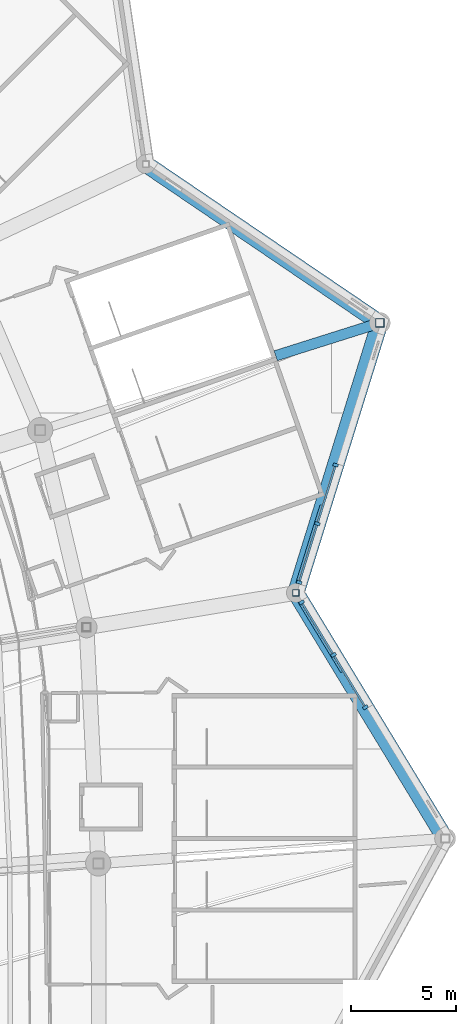
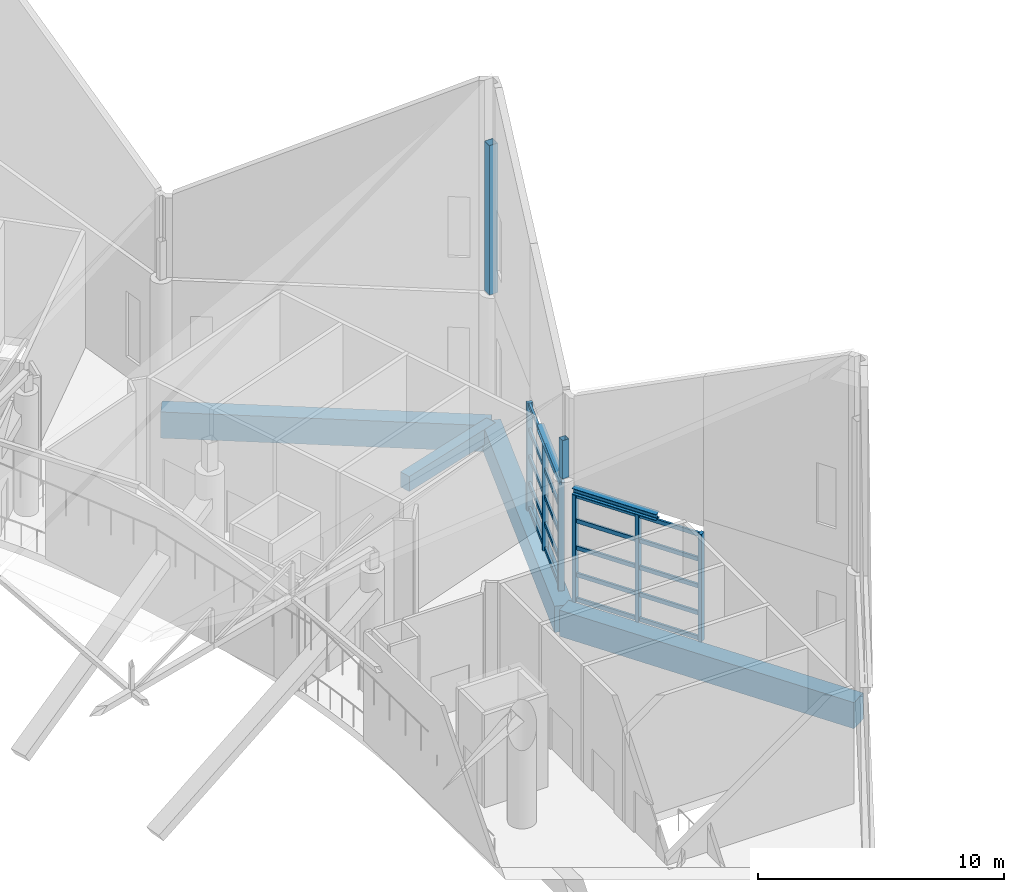
# One storey, part 199 of 344: 28 members, 6 beams, 2 elements without a shape of their own.
"""IFC4 building model written with IfcOpenShell, lengths in metres."""

import ifcopenshell
import ifcopenshell.guid

model = None  # the IFC model being written
_history = None  # IfcOwnerHistory: only IFC2X3 demands one
_inside = {}  # id of a spatial element -> (the spatial element, [elements in it])
_under = {}  # id of a project, library or spatial element -> (it, [spatial elements below it])
_declared = {}  # id of a project -> (the project, [libraries it declares])
_typed = {}  # id of a type object -> (the type object, [elements of that type])
_made_of = {}  # id of a material, layer set ... -> (it, [elements and type objects made of it])


def new_model(schema):
    """Start an empty IFC model of exactly this schema.

    Asked for "IFC4X3", IfcOpenShell would pick the latest addendum, in which some entities
    have other attributes; the version numbers below select the first issue.
    IFC2X3 requires an IfcOwnerHistory on every rooted entity: one is made here for all.
    """
    global model, _history
    if schema == "IFC4X3":
        model = ifcopenshell.file(schema_version=(4, 3, 0, 0))
    else:
        model = ifcopenshell.file(schema=schema)
    _inside.clear()
    _under.clear()
    _declared.clear()
    _typed.clear()
    _made_of.clear()
    _history = None
    if model.schema == "IFC2X3":
        org = make("IfcOrganization", Name="unknown")
        user = make(
            "IfcPersonAndOrganization",
            ThePerson=make("IfcPerson", FamilyName="unknown"),
            TheOrganization=org,
        )
        app = make(
            "IfcApplication",
            ApplicationDeveloper=org,
            Version="unknown",
            ApplicationFullName="unknown",
            ApplicationIdentifier="unknown",
        )
        _history = make(
            "IfcOwnerHistory",
            OwningUser=user,
            OwningApplication=app,
            ChangeAction="ADDED",
            CreationDate=0,
        )
    return model


def make(cls, **values):
    """One entity of the class cls with the attributes given. An attribute that is None is left unset."""
    return model.create_entity(
        cls, **{name: value for name, value in values.items() if value is not None}
    )


def rooted(cls, **values):
    """An entity with a GlobalId (a new one), such as an element, a storey or a relation."""
    return make(cls, GlobalId=ifcopenshell.guid.new(), OwnerHistory=_history, **values)


def si_unit(unit_type, name, prefix=None):
    """IfcSIUnit, for example si_unit("LENGTHUNIT", "METRE", prefix="MILLI")."""
    return make("IfcSIUnit", UnitType=unit_type, Prefix=prefix, Name=name)


def assignment(units):
    """IfcUnitAssignment: the units of a project."""
    return None if units is None else make("IfcUnitAssignment", Units=units)


def point(xyz):
    """IfcCartesianPoint."""
    return None if xyz is None else make("IfcCartesianPoint", Coordinates=xyz)


def direction(xyz):
    """IfcDirection."""
    return None if xyz is None else make("IfcDirection", DirectionRatios=xyz)


def frame(location, z_axis=None, x_axis=None):
    """IfcAxis2Placement3D, a coordinate frame: its origin and axes. An axis left out is left unset."""
    return make(
        "IfcAxis2Placement3D",
        Location=point(location),
        Axis=direction(z_axis),
        RefDirection=direction(x_axis),
    )


def frame_2d(location, x_axis=None):
    """IfcAxis2Placement2D, a coordinate frame in the plane: its origin and x axis."""
    return make(
        "IfcAxis2Placement2D", Location=point(location), RefDirection=direction(x_axis)
    )


def origin():
    """The frame at (0, 0, 0) with its axes left unset."""
    return frame((0.0, 0.0, 0.0))


def origin_2d():
    """The frame at (0, 0) in the plane with its x axis left unset."""
    return frame_2d((0.0, 0.0))


def place(relative_to, where):
    """IfcLocalPlacement: puts the frame where relative to a parent placement (None: the world)."""
    return make(
        "IfcLocalPlacement", PlacementRelTo=relative_to, RelativePlacement=where
    )


def context(
    kind, dimensions, precision=None, world=None, true_north=None, identifier=None
):
    """IfcGeometricRepresentationContext, for example the 3D "Model" context."""
    return make(
        "IfcGeometricRepresentationContext",
        ContextIdentifier=identifier,
        ContextType=kind,
        CoordinateSpaceDimension=dimensions,
        Precision=precision,
        WorldCoordinateSystem=world,
        TrueNorth=true_north,
    )


def subcontext(parent, identifier, kind, view, scale=None):
    """IfcGeometricRepresentationSubContext, for example "Body" below "Model"."""
    return make(
        "IfcGeometricRepresentationSubContext",
        ContextIdentifier=identifier,
        ContextType=kind,
        ParentContext=parent,
        TargetScale=scale,
        TargetView=view,
    )


def project(units=None, contexts=None):
    """IfcProject with its units and contexts."""
    return rooted(
        "IfcProject",
        Name="project",
        RepresentationContexts=contexts,
        UnitsInContext=assignment(units),
    )


def spatial(cls, under=None, at=None, **own):
    """A site, building, storey or space (cls), placed at a placement, below another one or the project."""
    s = rooted(cls, ObjectPlacement=at, **own)
    if under is not None:
        _under.setdefault(under.id(), (under, []))[1].append(s)
    return s


def profile(cls, at=None, kind="AREA", **sizes):
    """A parametric profile (cls). Its sizes go by their IFC names, for example OverallWidth=200.0."""
    return make(cls, ProfileType=kind, Position=at, **sizes)


def rectangle(**sizes):
    """IfcRectangleProfileDef."""
    return profile("IfcRectangleProfileDef", **sizes)


def hollow_rectangle(**sizes):
    """IfcRectangleHollowProfileDef."""
    return profile("IfcRectangleHollowProfileDef", **sizes)


def i_section(**sizes):
    """IfcIShapeProfileDef."""
    return profile("IfcIShapeProfileDef", **sizes)


def extrude(swept, where, along, depth):
    """IfcExtrudedAreaSolid: the profile swept, set in the frame where, extruded along a direction by depth."""
    return make(
        "IfcExtrudedAreaSolid",
        SweptArea=swept,
        Position=where,
        ExtrudedDirection=direction(along),
        Depth=depth,
    )


def shape(context_of_items, identifier, shape_type, items):
    """IfcShapeRepresentation: the items that make up one representation, for example the "Body"."""
    return make(
        "IfcShapeRepresentation",
        ContextOfItems=context_of_items,
        RepresentationIdentifier=identifier,
        RepresentationType=shape_type,
        Items=items,
    )


def material(Name=None, Category=None):
    """IfcMaterial."""
    return make("IfcMaterial", Name=Name, Category=Category)


def layer(
    of_material, thickness, ventilated=None, Name=None, Category=None, Priority=None
):
    """IfcMaterialLayer: one layer of a wall or slab, of a material (None: an air gap)."""
    return make(
        "IfcMaterialLayer",
        Material=of_material,
        LayerThickness=thickness,
        IsVentilated=ventilated,
        Name=Name,
        Category=Category,
        Priority=Priority,
    )


def layer_set(layers, Name=None):
    """IfcMaterialLayerSet."""
    return make("IfcMaterialLayerSet", MaterialLayers=layers, LayerSetName=Name)


def material_profile(
    of_material, cross_section, Name=None, Category=None, Priority=None
):
    """IfcMaterialProfile: a cross section and its material."""
    return make(
        "IfcMaterialProfile",
        Name=Name,
        Material=of_material,
        Profile=cross_section,
        Priority=Priority,
        Category=Category,
    )


def profile_set(profiles, Name=None, composite=None):
    """IfcMaterialProfileSet."""
    return make(
        "IfcMaterialProfileSet",
        Name=Name,
        MaterialProfiles=profiles,
        CompositeProfile=composite,
    )


def made_of(thing, what):
    """Note that an element or type object is made of a material, layer set ...; save() writes the relation."""
    if what is not None:
        _made_of.setdefault(what.id(), (what, []))[1].append(thing)
    return thing


def type_object(cls, material=None, **own):
    """A type object (cls), such as IfcWallType, which elements share."""
    return made_of(rooted(cls, **own), material)


def element(
    cls,
    number,
    at=None,
    inside=None,
    cuts=None,
    type_object=None,
    material=None,
    context=None,
    identifier="Body",
    shape_type=None,
    held_by="IfcProductDefinitionShape",
    body=None,
    shapes=None,
    **own,
):
    """One element of the class cls, such as IfcWall. Its Tag is "e" and its number.

    at: its placement. inside: the storey or other place that contains it. cuts: it is an
    opening in that element (IfcRelVoidsElement). A single representation is given by context,
    identifier, shape_type and body (its items); several are given by shapes. held_by: the class
    of the entity that holds the representations. save() writes the other relations.
    """
    e = rooted(cls, Tag="e%d" % number, ObjectPlacement=at, **own)
    if body is not None:
        shapes = [shape(context, identifier, shape_type, body)]
    if shapes is not None:
        e.Representation = make(held_by, Representations=shapes)
    if inside is not None:
        _inside.setdefault(inside.id(), (inside, []))[1].append(e)
    if cuts is not None:
        rooted(
            "IfcRelVoidsElement", RelatingBuildingElement=cuts, RelatedOpeningElement=e
        )
    if type_object is not None:
        _typed.setdefault(type_object.id(), (type_object, []))[1].append(e)
    return made_of(e, material)


def aggregate(whole, parts):
    """IfcRelAggregates: a whole, such as a stair, and the parts it consists of."""
    return rooted("IfcRelAggregates", RelatingObject=whole, RelatedObjects=parts)


def save(model, path):
    """Write the relations noted so far, then the file.

    IfcRelAggregates (storeys below a building ...), IfcRelContainedInSpatialStructure (elements
    in a storey), IfcRelDefinesByType, IfcRelAssociatesMaterial and IfcRelDeclares: one each for
    every whole, place, type object, material and project.
    """
    for whole, parts in _under.values():
        aggregate(whole, parts)
    for where, things in _inside.values():
        rooted(
            "IfcRelContainedInSpatialStructure",
            RelatedElements=things,
            RelatingStructure=where,
        )
    for kind, things in _typed.values():
        rooted("IfcRelDefinesByType", RelatedObjects=things, RelatingType=kind)
    for what, things in _made_of.values():
        rooted("IfcRelAssociatesMaterial", RelatedObjects=things, RelatingMaterial=what)
    for by, libraries in _declared.values():
        rooted("IfcRelDeclares", RelatingContext=by, RelatedDefinitions=libraries)
    model.write(path)


model = new_model("IFC4")

# Units and contexts
model_context = context("Model", 3, precision=1e-05, world=origin(), true_north=direction((0.0, 1.0)))
body_context = subcontext(model_context, "Body", "Model", "MODEL_VIEW")
ifc_project = project(units=[si_unit("LENGTHUNIT", "METRE"), si_unit("AREAUNIT", "SQUARE_METRE"), si_unit("VOLUMEUNIT", "CUBIC_METRE"), si_unit("PLANEANGLEUNIT", "RADIAN"), si_unit("MASSUNIT", "GRAM", prefix="KILO")], contexts=[model_context])

# Site, building, storey
site_placement = place(None, origin())
site = spatial("IfcSite", under=ifc_project, at=site_placement, CompositionType="ELEMENT")
building_placement = place(site_placement, origin())
building = spatial("IfcBuilding", under=site, at=building_placement, Name="Meseta Stadium", CompositionType="ELEMENT")
storey_placement = place(building_placement, frame((0.0, 0.0, 24.0)))
storey = spatial("IfcBuildingStorey", under=building, at=storey_placement, Name="L04", CompositionType="ELEMENT", Elevation=24.0)

# Beams
ifc_material_1 = material(Name="Steel S355", Category="steel")
ifc_material_profile_1 = material_profile(ifc_material_1, i_section(OverallWidth=0.300048828125, OverallDepth=0.300048828125, WebThickness=0.010986328125, FlangeThickness=0.01904296875, FilletRadius=0.027099609375, at=origin_2d()), Name="HEB 300")
ifc_profile_set_1 = profile_set([ifc_material_profile_1], Name="Steel S355")
beam_type_1 = type_object("IfcBeamType", Name="Atrium lintel beam HEB 300", PredefinedType="BEAM", material=ifc_profile_set_1)
beam_1_placement = place(storey_placement, frame((94.52783203125, 55.057373046875, 5.5), z_axis=(0.519384823856, -0.854540464079, 0.0), x_axis=(0.854540464079, 0.519384823856, 0.0)))
element("IfcBeam", 1, at=beam_1_placement, inside=storey, type_object=beam_type_1, Name="Atrium lintel beam F08", PredefinedType="BEAM", context=body_context, shape_type="SweptSolid", body=[
    extrude(i_section(OverallWidth=0.300048828125, OverallDepth=0.300048828125, WebThickness=0.010986328125, FlangeThickness=0.01904296875, FilletRadius=0.027099609375, at=origin_2d()), origin(), (0.0, 0.0, 1.0), 3.900146484375),
])
beam_2_placement = place(storey_placement, frame((94.427978515625, 55.87109375, 5.5), z_axis=(0.296855994895, 0.954922257723, 0.0), x_axis=(-0.954922257723, 0.296855994895, 0.0)))
element("IfcBeam", 2, at=beam_2_placement, inside=storey, type_object=beam_type_1, Name="Atrium lintel beam F09", PredefinedType="BEAM", context=body_context, shape_type="SweptSolid", body=[
    extrude(i_section(OverallWidth=0.300048828125, OverallDepth=0.300048828125, WebThickness=0.010986328125, FlangeThickness=0.01904296875, FilletRadius=0.027099609375, at=origin_2d()), origin(), (0.0, 0.0, 1.0), 3.89990234375),
])

# Curtain wall, members
ifc_material_2 = material(Name="Steel S355", Category="steel")
ifc_layer = layer(ifc_material_2, 0.300048828125)
ifc_layer_set = layer_set([ifc_layer], Name="Valley atrium curtain wall")
curtain_wall_type = type_object("IfcCurtainWallType", Name="Valley atrium curtain wall", PredefinedType="NOTDEFINED", material=ifc_layer_set)
curtain_wall_1_placement = place(storey_placement, origin())
curtain_wall_1 = element("IfcCurtainWall", 3, at=curtain_wall_1_placement, inside=storey, type_object=curtain_wall_type, Name="Valley atrium glazing F08", PredefinedType="NOTDEFINED")
ifc_material_3 = material(Name="Steel S355", Category="steel")
ifc_material_profile_2 = material_profile(ifc_material_3, rectangle(XDim=0.25, YDim=0.14990234375, at=origin_2d()), Name="CW 250x150")
ifc_profile_set_2 = profile_set([ifc_material_profile_2], Name="Steel S355")
member_type_1 = type_object("IfcMemberType", Name="CW mullion bar 250x150", PredefinedType="MULLION", material=ifc_profile_set_2)
member_1_placement = place(storey_placement, frame((97.60498046875, 49.994140625, 0.0), z_axis=(0.0, 0.0, 1.0), x_axis=(-0.854554231147, -0.519362172313, 0.0)))
member_1 = element("IfcMember", 4, at=member_1_placement, type_object=member_type_1, Name="CWA mullion 1", PredefinedType="MULLION", context=body_context, shape_type="SweptSolid", body=[
    extrude(rectangle(XDim=0.25, YDim=0.14990234375, at=origin_2d()), origin(), (0.0, 0.0, 1.0), 5.35009765625),
])
member_2_placement = place(storey_placement, frame((96.0859375, 52.49365234375, 0.0), z_axis=(0.0, 0.0, 1.0), x_axis=(-0.854554231147, -0.519362172313, 0.0)))
member_2 = element("IfcMember", 5, at=member_2_placement, type_object=member_type_1, Name="CWA mullion 2", PredefinedType="MULLION", context=body_context, shape_type="SweptSolid", body=[
    extrude(rectangle(XDim=0.25, YDim=0.14990234375, at=origin_2d()), origin(), (0.0, 0.0, 1.0), 5.35009765625),
])
member_3_placement = place(storey_placement, frame((94.56689453125, 54.993408203125, 0.0), z_axis=(0.0, 0.0, 1.0), x_axis=(-0.854554231147, -0.519362172313, 0.0)))
member_3 = element("IfcMember", 6, at=member_3_placement, type_object=member_type_1, Name="CWA mullion 3", PredefinedType="MULLION", context=body_context, shape_type="SweptSolid", body=[
    extrude(rectangle(XDim=0.25, YDim=0.14990234375, at=origin_2d()), origin(), (0.0, 0.0, 1.0), 5.35009765625),
])

curtain_wall_2_placement = place(storey_placement, origin())
curtain_wall_2 = element("IfcCurtainWall", 7, at=curtain_wall_2_placement, inside=storey, type_object=curtain_wall_type, Name="Valley atrium glazing F09", PredefinedType="NOTDEFINED")
member_4_placement = place(storey_placement, frame((94.4501953125, 55.942626953125, 0.0), z_axis=(0.0, 0.0, 1.0), x_axis=(-0.95491821847, 0.296868987995, 0.0)))
member_4 = element("IfcMember", 8, at=member_4_placement, type_object=member_type_1, Name="CWA mullion 1", PredefinedType="MULLION", context=body_context, shape_type="SweptSolid", body=[
    extrude(rectangle(XDim=0.25, YDim=0.14990234375, at=origin_2d()), origin(), (0.0, 0.0, 1.0), 5.35009765625),
])
member_5_placement = place(storey_placement, frame((95.318603515625, 58.73583984375, 0.0), z_axis=(0.0, 0.0, 1.0), x_axis=(-0.95491821847, 0.296868987995, 0.0)))
member_5 = element("IfcMember", 9, at=member_5_placement, type_object=member_type_1, Name="CWA mullion 2", PredefinedType="MULLION", context=body_context, shape_type="SweptSolid", body=[
    extrude(rectangle(XDim=0.25, YDim=0.14990234375, at=origin_2d()), origin(), (0.0, 0.0, 1.0), 5.35009765625),
])
member_6_placement = place(storey_placement, frame((96.18701171875, 61.529052734375, 0.0), z_axis=(0.0, 0.0, 1.0), x_axis=(-0.95491821847, 0.296868987995, 0.0)))
member_6 = element("IfcMember", 10, at=member_6_placement, type_object=member_type_1, Name="CWA mullion 3", PredefinedType="MULLION", context=body_context, shape_type="SweptSolid", body=[
    extrude(rectangle(XDim=0.25, YDim=0.14990234375, at=origin_2d()), origin(), (0.0, 0.0, 1.0), 5.35009765625),
])

# Member
ifc_material_4 = material(Name="Steel S355", Category="steel")
ifc_material_profile_3 = material_profile(ifc_material_4, hollow_rectangle(XDim=0.10009765625, YDim=0.199951171875, WallThickness=0.008056640625, at=origin_2d()), Name="RHS 200x100x8")
ifc_profile_set_3 = profile_set([ifc_material_profile_3], Name="Steel S355")
member_type_2 = type_object("IfcMemberType", Name="CW transom RHS 200x100x8", PredefinedType="USERDEFINED", material=ifc_profile_set_3)
member_7_placement = place(storey_placement, frame((97.566162109375, 50.058349609375, 0.10009765625), z_axis=(-0.519352311576, 0.854560224011, 0.0), x_axis=(-0.854560224011, -0.519352311576, 0.0)))
member_7 = element("IfcMember", 11, at=member_7_placement, type_object=member_type_2, Name="CWA transom 1.1", ObjectType="TRANSOM", PredefinedType="USERDEFINED", context=body_context, shape_type="SweptSolid", body=[
    extrude(hollow_rectangle(XDim=0.10009765625, YDim=0.199951171875, WallThickness=0.008056640625, at=origin_2d()), origin(), (0.0, 0.0, 1.0), 2.77490234375),
])

member_8_placement = place(storey_placement, frame((97.566162109375, 50.058349609375, 1.33740234375), z_axis=(-0.519352311576, 0.854560224011, 0.0), x_axis=(-0.854560224011, -0.519352311576, 0.0)))
member_8 = element("IfcMember", 12, at=member_8_placement, type_object=member_type_2, Name="CWA transom 1.2", ObjectType="TRANSOM", PredefinedType="USERDEFINED", context=body_context, shape_type="SweptSolid", body=[
    extrude(hollow_rectangle(XDim=0.10009765625, YDim=0.199951171875, WallThickness=0.008056640625, at=origin_2d()), origin(), (0.0, 0.0, 1.0), 2.77490234375),
])

member_9_placement = place(storey_placement, frame((97.566162109375, 50.058349609375, 2.675048828125), z_axis=(-0.519352311576, 0.854560224011, 0.0), x_axis=(-0.854560224011, -0.519352311576, 0.0)))
member_9 = element("IfcMember", 13, at=member_9_placement, type_object=member_type_2, Name="CWA transom 1.3", ObjectType="TRANSOM", PredefinedType="USERDEFINED", context=body_context, shape_type="SweptSolid", body=[
    extrude(hollow_rectangle(XDim=0.10009765625, YDim=0.199951171875, WallThickness=0.008056640625, at=origin_2d()), origin(), (0.0, 0.0, 1.0), 2.77490234375),
])

member_10_placement = place(storey_placement, frame((97.566162109375, 50.058349609375, 4.012451171875), z_axis=(-0.519352311576, 0.854560224011, 0.0), x_axis=(-0.854560224011, -0.519352311576, 0.0)))
member_10 = element("IfcMember", 14, at=member_10_placement, type_object=member_type_2, Name="CWA transom 1.4", ObjectType="TRANSOM", PredefinedType="USERDEFINED", context=body_context, shape_type="SweptSolid", body=[
    extrude(hollow_rectangle(XDim=0.10009765625, YDim=0.199951171875, WallThickness=0.008056640625, at=origin_2d()), origin(), (0.0, 0.0, 1.0), 2.77490234375),
])

member_11_placement = place(storey_placement, frame((97.566162109375, 50.058349609375, 5.25), z_axis=(-0.519352311576, 0.854560224011, 0.0), x_axis=(-0.854560224011, -0.519352311576, 0.0)))
member_11 = element("IfcMember", 15, at=member_11_placement, type_object=member_type_2, Name="CWA transom 1.5", ObjectType="TRANSOM", PredefinedType="USERDEFINED", context=body_context, shape_type="SweptSolid", body=[
    extrude(hollow_rectangle(XDim=0.10009765625, YDim=0.199951171875, WallThickness=0.008056640625, at=origin_2d()), origin(), (0.0, 0.0, 1.0), 2.77490234375),
])

member_12_placement = place(storey_placement, frame((96.046875, 52.557861328125, 0.10009765625), z_axis=(-0.519352311576, 0.854560224011, 0.0), x_axis=(-0.854560224011, -0.519352311576, 0.0)))
member_12 = element("IfcMember", 16, at=member_12_placement, type_object=member_type_2, Name="CWA transom 2.1", ObjectType="TRANSOM", PredefinedType="USERDEFINED", context=body_context, shape_type="SweptSolid", body=[
    extrude(hollow_rectangle(XDim=0.10009765625, YDim=0.199951171875, WallThickness=0.008056640625, at=origin_2d()), origin(), (0.0, 0.0, 1.0), 2.77490234375),
])

member_13_placement = place(storey_placement, frame((96.046875, 52.557861328125, 1.33740234375), z_axis=(-0.519352311576, 0.854560224011, 0.0), x_axis=(-0.854560224011, -0.519352311576, 0.0)))
member_13 = element("IfcMember", 17, at=member_13_placement, type_object=member_type_2, Name="CWA transom 2.2", ObjectType="TRANSOM", PredefinedType="USERDEFINED", context=body_context, shape_type="SweptSolid", body=[
    extrude(hollow_rectangle(XDim=0.10009765625, YDim=0.199951171875, WallThickness=0.008056640625, at=origin_2d()), origin(), (0.0, 0.0, 1.0), 2.77490234375),
])

member_14_placement = place(storey_placement, frame((96.046875, 52.557861328125, 2.675048828125), z_axis=(-0.519352311576, 0.854560224011, 0.0), x_axis=(-0.854560224011, -0.519352311576, 0.0)))
member_14 = element("IfcMember", 18, at=member_14_placement, type_object=member_type_2, Name="CWA transom 2.3", ObjectType="TRANSOM", PredefinedType="USERDEFINED", context=body_context, shape_type="SweptSolid", body=[
    extrude(hollow_rectangle(XDim=0.10009765625, YDim=0.199951171875, WallThickness=0.008056640625, at=origin_2d()), origin(), (0.0, 0.0, 1.0), 2.77490234375),
])

member_15_placement = place(storey_placement, frame((96.046875, 52.557861328125, 4.012451171875), z_axis=(-0.519352311576, 0.854560224011, 0.0), x_axis=(-0.854560224011, -0.519352311576, 0.0)))
member_15 = element("IfcMember", 19, at=member_15_placement, type_object=member_type_2, Name="CWA transom 2.4", ObjectType="TRANSOM", PredefinedType="USERDEFINED", context=body_context, shape_type="SweptSolid", body=[
    extrude(hollow_rectangle(XDim=0.10009765625, YDim=0.199951171875, WallThickness=0.008056640625, at=origin_2d()), origin(), (0.0, 0.0, 1.0), 2.77490234375),
])

member_16_placement = place(storey_placement, frame((96.046875, 52.557861328125, 5.25), z_axis=(-0.519352311576, 0.854560224011, 0.0), x_axis=(-0.854560224011, -0.519352311576, 0.0)))
member_16 = element("IfcMember", 20, at=member_16_placement, type_object=member_type_2, Name="CWA transom 2.5", ObjectType="TRANSOM", PredefinedType="USERDEFINED", context=body_context, shape_type="SweptSolid", body=[
    extrude(hollow_rectangle(XDim=0.10009765625, YDim=0.199951171875, WallThickness=0.008056640625, at=origin_2d()), origin(), (0.0, 0.0, 1.0), 2.77490234375),
])

aggregate(curtain_wall_1, [member_1, member_2, member_3, member_7, member_8, member_9, member_10, member_11, member_12, member_13, member_14, member_15, member_16])

member_17_placement = place(storey_placement, frame((94.472412109375, 56.014404296875, 0.10009765625), z_axis=(0.296922165657, 0.954901684752, 0.0), x_axis=(-0.954901684752, 0.296922165657, 0.0)))
member_17 = element("IfcMember", 21, at=member_17_placement, type_object=member_type_2, Name="CWA transom 1.1", ObjectType="TRANSOM", PredefinedType="USERDEFINED", context=body_context, shape_type="SweptSolid", body=[
    extrude(hollow_rectangle(XDim=0.10009765625, YDim=0.199951171875, WallThickness=0.008056640625, at=origin_2d()), origin(), (0.0, 0.0, 1.0), 2.775146484375),
])

member_18_placement = place(storey_placement, frame((94.472412109375, 56.014404296875, 1.33740234375), z_axis=(0.296922165657, 0.954901684752, 0.0), x_axis=(-0.954901684752, 0.296922165657, 0.0)))
member_18 = element("IfcMember", 22, at=member_18_placement, type_object=member_type_2, Name="CWA transom 1.2", ObjectType="TRANSOM", PredefinedType="USERDEFINED", context=body_context, shape_type="SweptSolid", body=[
    extrude(hollow_rectangle(XDim=0.10009765625, YDim=0.199951171875, WallThickness=0.008056640625, at=origin_2d()), origin(), (0.0, 0.0, 1.0), 2.775146484375),
])

member_19_placement = place(storey_placement, frame((94.472412109375, 56.014404296875, 2.675048828125), z_axis=(0.296922165657, 0.954901684752, 0.0), x_axis=(-0.954901684752, 0.296922165657, 0.0)))
member_19 = element("IfcMember", 23, at=member_19_placement, type_object=member_type_2, Name="CWA transom 1.3", ObjectType="TRANSOM", PredefinedType="USERDEFINED", context=body_context, shape_type="SweptSolid", body=[
    extrude(hollow_rectangle(XDim=0.10009765625, YDim=0.199951171875, WallThickness=0.008056640625, at=origin_2d()), origin(), (0.0, 0.0, 1.0), 2.775146484375),
])

member_20_placement = place(storey_placement, frame((94.472412109375, 56.014404296875, 4.012451171875), z_axis=(0.296922165657, 0.954901684752, 0.0), x_axis=(-0.954901684752, 0.296922165657, 0.0)))
member_20 = element("IfcMember", 24, at=member_20_placement, type_object=member_type_2, Name="CWA transom 1.4", ObjectType="TRANSOM", PredefinedType="USERDEFINED", context=body_context, shape_type="SweptSolid", body=[
    extrude(hollow_rectangle(XDim=0.10009765625, YDim=0.199951171875, WallThickness=0.008056640625, at=origin_2d()), origin(), (0.0, 0.0, 1.0), 2.775146484375),
])

member_21_placement = place(storey_placement, frame((94.472412109375, 56.014404296875, 5.25), z_axis=(0.296922165657, 0.954901684752, 0.0), x_axis=(-0.954901684752, 0.296922165657, 0.0)))
member_21 = element("IfcMember", 25, at=member_21_placement, type_object=member_type_2, Name="CWA transom 1.5", ObjectType="TRANSOM", PredefinedType="USERDEFINED", context=body_context, shape_type="SweptSolid", body=[
    extrude(hollow_rectangle(XDim=0.10009765625, YDim=0.199951171875, WallThickness=0.008056640625, at=origin_2d()), origin(), (0.0, 0.0, 1.0), 2.775146484375),
])

member_22_placement = place(storey_placement, frame((95.3408203125, 58.807373046875, 0.10009765625), z_axis=(0.296841941866, 0.954926626265, 0.0), x_axis=(-0.954926626265, 0.296841941866, 0.0)))
member_22 = element("IfcMember", 26, at=member_22_placement, type_object=member_type_2, Name="CWA transom 2.1", ObjectType="TRANSOM", PredefinedType="USERDEFINED", context=body_context, shape_type="SweptSolid", body=[
    extrude(hollow_rectangle(XDim=0.10009765625, YDim=0.199951171875, WallThickness=0.008056640625, at=origin_2d()), origin(), (0.0, 0.0, 1.0), 2.77490234375),
])

member_23_placement = place(storey_placement, frame((95.3408203125, 58.807373046875, 1.33740234375), z_axis=(0.296841941866, 0.954926626265, 0.0), x_axis=(-0.954926626265, 0.296841941866, 0.0)))
member_23 = element("IfcMember", 27, at=member_23_placement, type_object=member_type_2, Name="CWA transom 2.2", ObjectType="TRANSOM", PredefinedType="USERDEFINED", context=body_context, shape_type="SweptSolid", body=[
    extrude(hollow_rectangle(XDim=0.10009765625, YDim=0.199951171875, WallThickness=0.008056640625, at=origin_2d()), origin(), (0.0, 0.0, 1.0), 2.77490234375),
])

member_24_placement = place(storey_placement, frame((95.3408203125, 58.807373046875, 2.675048828125), z_axis=(0.296841941866, 0.954926626265, 0.0), x_axis=(-0.954926626265, 0.296841941866, 0.0)))
member_24 = element("IfcMember", 28, at=member_24_placement, type_object=member_type_2, Name="CWA transom 2.3", ObjectType="TRANSOM", PredefinedType="USERDEFINED", context=body_context, shape_type="SweptSolid", body=[
    extrude(hollow_rectangle(XDim=0.10009765625, YDim=0.199951171875, WallThickness=0.008056640625, at=origin_2d()), origin(), (0.0, 0.0, 1.0), 2.77490234375),
])

member_25_placement = place(storey_placement, frame((95.3408203125, 58.807373046875, 4.012451171875), z_axis=(0.296841941866, 0.954926626265, 0.0), x_axis=(-0.954926626265, 0.296841941866, 0.0)))
member_25 = element("IfcMember", 29, at=member_25_placement, type_object=member_type_2, Name="CWA transom 2.4", ObjectType="TRANSOM", PredefinedType="USERDEFINED", context=body_context, shape_type="SweptSolid", body=[
    extrude(hollow_rectangle(XDim=0.10009765625, YDim=0.199951171875, WallThickness=0.008056640625, at=origin_2d()), origin(), (0.0, 0.0, 1.0), 2.77490234375),
])

member_26_placement = place(storey_placement, frame((95.3408203125, 58.807373046875, 5.25), z_axis=(0.296841941866, 0.954926626265, 0.0), x_axis=(-0.954926626265, 0.296841941866, 0.0)))
member_26 = element("IfcMember", 30, at=member_26_placement, type_object=member_type_2, Name="CWA transom 2.5", ObjectType="TRANSOM", PredefinedType="USERDEFINED", context=body_context, shape_type="SweptSolid", body=[
    extrude(hollow_rectangle(XDim=0.10009765625, YDim=0.199951171875, WallThickness=0.008056640625, at=origin_2d()), origin(), (0.0, 0.0, 1.0), 2.77490234375),
])

aggregate(curtain_wall_2, [member_4, member_5, member_6, member_17, member_18, member_19, member_20, member_21, member_22, member_23, member_24, member_25, member_26])

# Beams
ifc_material_5 = material(Name="Concrete C40/50", Category="concrete")
ifc_material_profile_4 = material_profile(ifc_material_5, rectangle(XDim=0.5, YDim=0.75, at=origin_2d()), Name="RC 500x750")
ifc_profile_set_4 = profile_set([ifc_material_profile_4], Name="Concrete C40/50")
beam_type_2 = type_object("IfcBeamType", Name="RC beam 500x750", PredefinedType="BEAM", material=ifc_profile_set_4)
beam_3_placement = place(storey_placement, frame((93.330078125, 66.73095703125, -0.77490234375), z_axis=(0.953580537384, 0.301138105728, 0.0), x_axis=(-0.301138105728, 0.953580537384, 0.0)))
element("IfcBeam", 31, at=beam_3_placement, inside=storey, type_object=beam_type_2, Name="L04 radial beam frame 10 line P to R", PredefinedType="BEAM", context=body_context, shape_type="SweptSolid", body=[
    extrude(rectangle(XDim=0.5, YDim=0.75, at=origin_2d()), origin(), (0.0, 0.0, 1.0), 5.202392578125),
])
ifc_material_6 = material(Name="Concrete C40/50", Category="concrete")
ifc_material_profile_5 = material_profile(ifc_material_6, rectangle(XDim=0.800048828125, YDim=1.300048828125, at=origin_2d()), Name="RC 800x1300")
ifc_profile_set_5 = profile_set([ifc_material_profile_5], Name="Concrete C40/50")
beam_type_3 = type_object("IfcBeamType", Name="RC beam 800x1300", PredefinedType="BEAM", material=ifc_profile_set_5)
beam_4_placement = place(storey_placement, frame((101.39990234375, 43.75, -1.050048828125), z_axis=(-0.519358064651, 0.854556727598, 0.0), x_axis=(-0.854556727598, -0.519358064651, 0.0)))
element("IfcBeam", 32, at=beam_4_placement, inside=storey, type_object=beam_type_3, Name="L04 ring beam frame 8 line R", PredefinedType="BEAM", context=body_context, shape_type="SweptSolid", body=[
    extrude(rectangle(XDim=0.800048828125, YDim=1.300048828125, at=origin_2d()), origin(), (0.0, 0.0, 1.0), 13.68115234375),
])
beam_5_placement = place(storey_placement, frame((94.29443359375, 55.44140625, -1.050048828125), z_axis=(0.296854913016, 0.954922594045, 0.0), x_axis=(-0.954922594045, 0.296854913016, 0.0)))
element("IfcBeam", 33, at=beam_5_placement, inside=storey, type_object=beam_type_3, Name="L04 ring beam frame 9 line R", PredefinedType="BEAM", context=body_context, shape_type="SweptSolid", body=[
    extrude(rectangle(XDim=0.800048828125, YDim=1.300048828125, at=origin_2d()), origin(), (0.0, 0.0, 1.0), 13.463134765625),
])
beam_6_placement = place(storey_placement, frame((98.291015625, 68.297607421875, -1.050048828125), z_axis=(-0.827486005705, 0.561486340317, 0.0), x_axis=(-0.561486340317, -0.827486005705, 0.0)))
element("IfcBeam", 34, at=beam_6_placement, inside=storey, type_object=beam_type_3, Name="L04 ring beam frame 10 line R", PredefinedType="BEAM", context=body_context, shape_type="SweptSolid", body=[
    extrude(rectangle(XDim=0.800048828125, YDim=1.300048828125, at=origin_2d()), origin(), (0.0, 0.0, 1.0), 13.462646484375),
])

# Members
ifc_material_7 = material(Name="Steel S355", Category="steel")
ifc_material_profile_6 = material_profile(ifc_material_7, hollow_rectangle(XDim=0.300048828125, YDim=0.300048828125, WallThickness=0.010009765625, at=origin_2d()), Name="SHS 300x300x10")
ifc_profile_set_6 = profile_set([ifc_material_profile_6], Name="Steel S355")
member_type_3 = type_object("IfcMemberType", Name="SHS 300x300x10 rim post", PredefinedType="POST", material=ifc_profile_set_6)
member_27_placement = place(storey_placement, frame((94.29443359375, 55.44140625, 6.0), z_axis=(0.0, 0.0, 1.0), x_axis=(1.0, 0.0, 0.0)))
element("IfcMember", 35, at=member_27_placement, inside=storey, type_object=member_type_3, Name="ROOF RIM POST RT-09", PredefinedType="POST", context=body_context, shape_type="SweptSolid", body=[
    extrude(hollow_rectangle(XDim=0.300048828125, YDim=0.300048828125, WallThickness=0.010009765625, at=origin_2d()), origin(), (0.0, 0.0, 1.0), 1.907470703125),
])
ifc_material_8 = material(Name="Steel S355", Category="steel")
ifc_material_profile_7 = material_profile(ifc_material_8, hollow_rectangle(XDim=0.39990234375, YDim=0.39990234375, WallThickness=0.01416015625, at=origin_2d()), Name="SHS 400x400x14.2")
ifc_profile_set_7 = profile_set([ifc_material_profile_7], Name="Steel S355")
member_type_4 = type_object("IfcMemberType", Name="SHS 400x400x14.2 rim post", PredefinedType="POST", material=ifc_profile_set_7)
member_28_placement = place(storey_placement, frame((98.291015625, 68.29736328125, 6.0), z_axis=(0.0, 0.0, 1.0), x_axis=(1.0, 0.0, 0.0)))
element("IfcMember", 36, at=member_28_placement, inside=storey, type_object=member_type_4, Name="ROOF RIM POST RT-10", PredefinedType="POST", context=body_context, shape_type="SweptSolid", body=[
    extrude(hollow_rectangle(XDim=0.39990234375, YDim=0.39990234375, WallThickness=0.01416015625, at=origin_2d()), origin(), (0.0, 0.0, 1.0), 7.424560546875),
])

save(model, "model.ifc")
